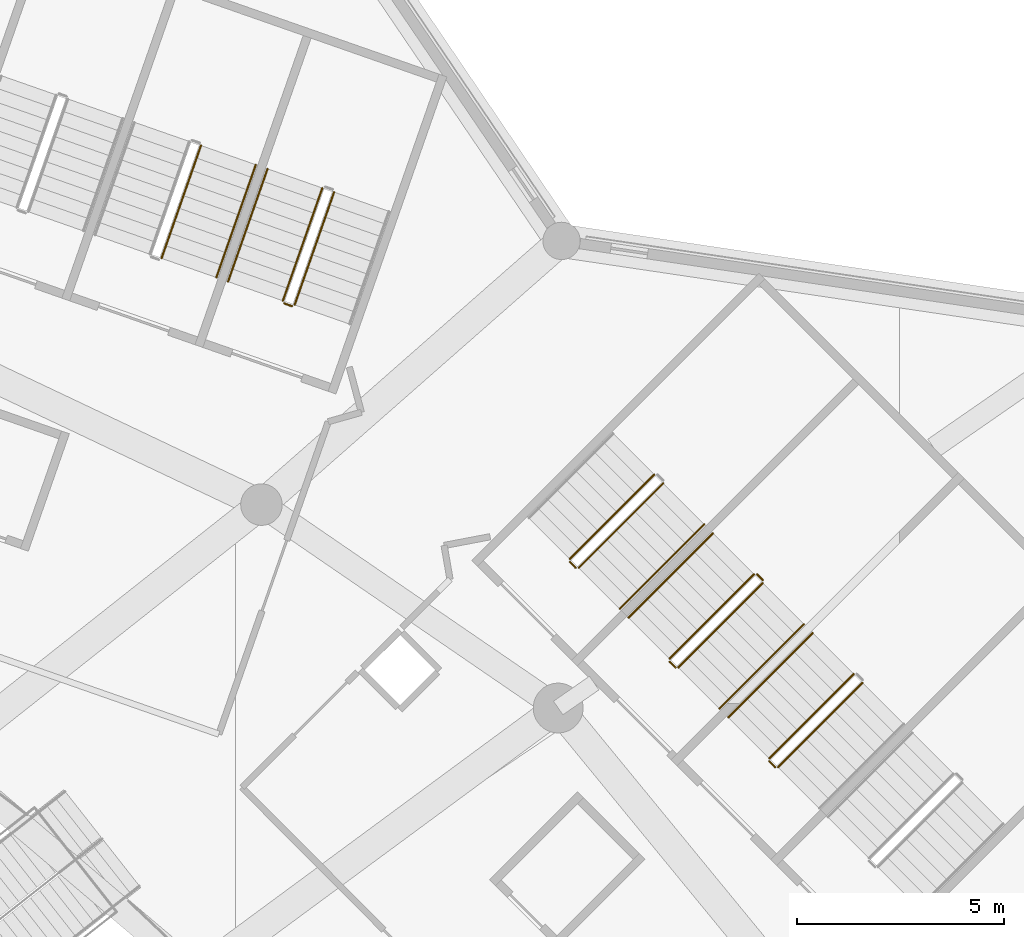
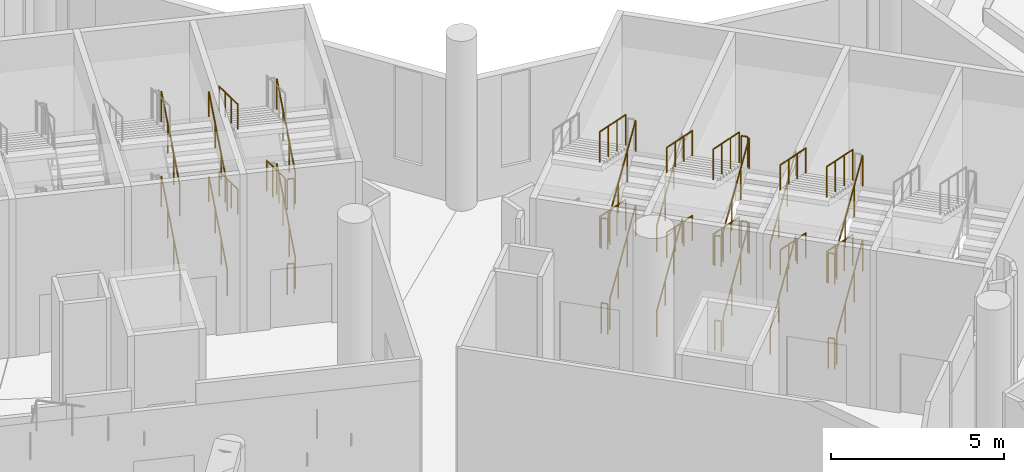
# One storey, part 169 of 173: 39 railings.
"""IFC4 building model written with IfcOpenShell, lengths in metres."""

from ifc_helpers import new_model, si_unit, direction, frame, origin, origin_2d, place, context, subcontext, project, spatial, circle, extrude, material, type_object, element, save


model = new_model("IFC4")

# Units and contexts
model_context = context("Model", 3, precision=1e-05, world=origin(), true_north=direction((0.0, 1.0)))
body_context = subcontext(model_context, "Body", "Model", "MODEL_VIEW")
ifc_project = project(units=[si_unit("LENGTHUNIT", "METRE"), si_unit("AREAUNIT", "SQUARE_METRE"), si_unit("VOLUMEUNIT", "CUBIC_METRE"), si_unit("PLANEANGLEUNIT", "RADIAN"), si_unit("MASSUNIT", "GRAM", prefix="KILO")], contexts=[model_context])

# Site, building, storey
site_placement = place(None, origin())
site = spatial("IfcSite", under=ifc_project, at=site_placement, CompositionType="ELEMENT")
building_placement = place(site_placement, origin())
building = spatial("IfcBuilding", under=site, at=building_placement, Name="Meseta Stadium", CompositionType="ELEMENT")
storey_placement = place(building_placement, frame((0.0, 0.0, 18.0)))
storey = spatial("IfcBuildingStorey", under=building, at=storey_placement, Name="L03", CompositionType="ELEMENT", Elevation=18.0)

# Railings
ifc_material_1 = material(Name="Steel S355", Category="steel")
railing_type_1 = type_object("IfcRailingType", Name="Stair guard 1100", PredefinedType="GUARDRAIL", material=ifc_material_1)
railing_1_placement = place(storey_placement, frame((77.077392578125, 78.4609375, 0.14990234375)))
element("IfcRailing", 1, at=railing_1_placement, inside=storey, type_object=railing_type_1, Name="ST26 L03 guard 1", PredefinedType="GUARDRAIL", context=body_context, shape_type="SweptSolid", body=[
    extrude(circle(Radius=0.02392578125, at=origin_2d()), frame((0.0, 0.0, 1.076171875), z_axis=(0.640211215754, 0.640287970486, 0.424453665402), x_axis=(-0.707149164786, 0.707064395047, 0.0)), (0.0, 0.0, 1.0), 3.180908203125),
    extrude(circle(Radius=0.02099609375, at=origin_2d()), origin(), (0.0, 0.0, 1.0), 1.052001953125),
    extrude(circle(Radius=0.02099609375, at=origin_2d()), frame((0.6787109375, 0.678955078125, 0.449951171875)), (0.0, 0.0, 1.0), 1.052001953125),
    extrude(circle(Radius=0.02099609375, at=origin_2d()), frame((1.357666015625, 1.357666015625, 0.900146484375)), (0.0, 0.0, 1.0), 1.052001953125),
    extrude(circle(Radius=0.02099609375, at=origin_2d()), frame((2.036376953125, 2.03662109375, 1.35009765625)), (0.0, 0.0, 1.0), 1.052001953125),
])
railing_2_placement = place(storey_placement, frame((78.901611328125, 80.709716796875, 1.64990234375)))
element("IfcRailing", 2, at=railing_2_placement, inside=storey, type_object=railing_type_1, Name="ST26 L03 guard 3", PredefinedType="GUARDRAIL", context=body_context, shape_type="SweptSolid", body=[
    extrude(circle(Radius=0.02392578125, at=origin_2d()), frame((0.0, 0.0, 1.076171875), z_axis=(-0.640211215754, -0.640287970486, 0.424453665402), x_axis=(0.707149164786, -0.707064395047, 0.0)), (0.0, 0.0, 1.0), 3.180908203125),
    extrude(circle(Radius=0.02099609375, at=origin_2d()), origin(), (0.0, 0.0, 1.0), 1.052001953125),
    extrude(circle(Radius=0.02099609375, at=origin_2d()), frame((-0.6787109375, -0.678955078125, 0.449951171875)), (0.0, 0.0, 1.0), 1.052001953125),
    extrude(circle(Radius=0.02099609375, at=origin_2d()), frame((-1.357666015625, -1.357666015625, 0.900146484375)), (0.0, 0.0, 1.0), 1.052001953125),
    extrude(circle(Radius=0.02099609375, at=origin_2d()), frame((-2.036376953125, -2.03662109375, 1.35009765625)), (0.0, 0.0, 1.0), 1.052001953125),
])
railing_3_placement = place(storey_placement, frame((77.006591796875, 78.4609375, 3.0)))
element("IfcRailing", 3, at=railing_3_placement, inside=storey, type_object=railing_type_1, Name="ST26 L03 guard 4", PredefinedType="GUARDRAIL", context=body_context, shape_type="SweptSolid", body=[
    extrude(circle(Radius=0.02392578125, at=origin_2d()), frame((0.0, 0.0, 1.076171875), z_axis=(-0.706496417452, 0.707716618519, 0.0), x_axis=(-0.707716618519, -0.706496417452, 0.0)), (0.0, 0.0, 1.0), 0.2001953125),
    extrude(circle(Radius=0.02099609375, at=origin_2d()), origin(), (0.0, 0.0, 1.0), 1.052001953125),
    extrude(circle(Radius=0.02099609375, at=origin_2d()), frame((-0.141357421875, 0.1416015625, 0.0)), (0.0, 0.0, 1.0), 1.052001953125),
])
railing_4_placement = place(storey_placement, frame((77.077392578125, 78.4609375, 3.14990234375)))
element("IfcRailing", 4, at=railing_4_placement, inside=storey, type_object=railing_type_1, Name="ST26 L03 guard 5", PredefinedType="GUARDRAIL", context=body_context, shape_type="SweptSolid", body=[
    extrude(circle(Radius=0.02392578125, at=origin_2d()), frame((0.0, 0.0, 1.076171875), z_axis=(0.640211215754, 0.640287970486, 0.424453665402), x_axis=(-0.707149164786, 0.707064395047, 0.0)), (0.0, 0.0, 1.0), 3.180908203125),
    extrude(circle(Radius=0.02099609375, at=origin_2d()), origin(), (0.0, 0.0, 1.0), 1.052001953125),
    extrude(circle(Radius=0.02099609375, at=origin_2d()), frame((0.6787109375, 0.678955078125, 0.449951171875)), (0.0, 0.0, 1.0), 1.052001953125),
    extrude(circle(Radius=0.02099609375, at=origin_2d()), frame((1.357666015625, 1.357666015625, 0.900146484375)), (0.0, 0.0, 1.0), 1.052001953125),
    extrude(circle(Radius=0.02099609375, at=origin_2d()), frame((2.036376953125, 2.03662109375, 1.35009765625)), (0.0, 0.0, 1.0), 1.052001953125),
])
railing_5_placement = place(storey_placement, frame((78.901611328125, 80.709716796875, 4.64990234375)))
element("IfcRailing", 5, at=railing_5_placement, inside=storey, type_object=railing_type_1, Name="ST26 L03 guard 7", PredefinedType="GUARDRAIL", context=body_context, shape_type="SweptSolid", body=[
    extrude(circle(Radius=0.02392578125, at=origin_2d()), frame((0.0, 0.0, 1.076171875), z_axis=(-0.640211215754, -0.640287970486, 0.424453665402), x_axis=(0.707149164786, -0.707064395047, 0.0)), (0.0, 0.0, 1.0), 3.180908203125),
    extrude(circle(Radius=0.02099609375, at=origin_2d()), origin(), (0.0, 0.0, 1.0), 1.052001953125),
    extrude(circle(Radius=0.02099609375, at=origin_2d()), frame((-0.6787109375, -0.678955078125, 0.449951171875)), (0.0, 0.0, 1.0), 1.052001953125),
    extrude(circle(Radius=0.02099609375, at=origin_2d()), frame((-1.357666015625, -1.357666015625, 0.900146484375)), (0.0, 0.0, 1.0), 1.052001953125),
    extrude(circle(Radius=0.02099609375, at=origin_2d()), frame((-2.036376953125, -2.03662109375, 1.35009765625)), (0.0, 0.0, 1.0), 1.052001953125),
])
railing_6_placement = place(storey_placement, frame((77.006591796875, 78.4609375, 0.0)))
element("IfcRailing", 6, at=railing_6_placement, inside=storey, type_object=railing_type_1, Name="ST26 L03 guard 8", PredefinedType="GUARDRAIL", context=body_context, shape_type="SweptSolid", body=[
    extrude(circle(Radius=0.02392578125, at=origin_2d()), frame((0.0, 0.0, 1.076171875), z_axis=(-0.706496417452, 0.707716618519, 0.0), x_axis=(-0.707716618519, -0.706496417452, 0.0)), (0.0, 0.0, 1.0), 0.2001953125),
    extrude(circle(Radius=0.02099609375, at=origin_2d()), origin(), (0.0, 0.0, 1.0), 1.052001953125),
    extrude(circle(Radius=0.02099609375, at=origin_2d()), frame((-0.141357421875, 0.1416015625, 0.0)), (0.0, 0.0, 1.0), 1.052001953125),
])
railing_7_placement = place(storey_placement, frame((74.673095703125, 80.865234375, 0.14990234375)))
element("IfcRailing", 7, at=railing_7_placement, inside=storey, type_object=railing_type_1, Name="ST27 L03 guard 1", PredefinedType="GUARDRAIL", context=body_context, shape_type="SweptSolid", body=[
    extrude(circle(Radius=0.02392578125, at=origin_2d()), frame((0.0, 0.0, 1.076171875), z_axis=(0.640287970486, 0.640211215754, 0.424453665402), x_axis=(-0.707064395047, 0.707149164786, 0.0)), (0.0, 0.0, 1.0), 3.180908203125),
    extrude(circle(Radius=0.02099609375, at=origin_2d()), origin(), (0.0, 0.0, 1.0), 1.052001953125),
    extrude(circle(Radius=0.02099609375, at=origin_2d()), frame((0.678955078125, 0.6787109375, 0.449951171875)), (0.0, 0.0, 1.0), 1.052001953125),
    extrude(circle(Radius=0.02099609375, at=origin_2d()), frame((1.357666015625, 1.357666015625, 0.900146484375)), (0.0, 0.0, 1.0), 1.052001953125),
    extrude(circle(Radius=0.02099609375, at=origin_2d()), frame((2.03662109375, 2.036376953125, 1.35009765625)), (0.0, 0.0, 1.0), 1.052001953125),
])
railing_8_placement = place(storey_placement, frame((76.709716796875, 82.972412109375, 1.5)))
element("IfcRailing", 8, at=railing_8_placement, inside=storey, type_object=railing_type_1, Name="ST27 L03 guard 2", PredefinedType="GUARDRAIL", context=body_context, shape_type="SweptSolid", body=[
    extrude(circle(Radius=0.02392578125, at=origin_2d()), frame((0.0, 0.0, 1.076171875), z_axis=(-0.707716618519, 0.706496417452, 0.0), x_axis=(-0.706496417452, -0.707716618519, 0.0)), (0.0, 0.0, 1.0), 0.2001953125),
    extrude(circle(Radius=0.02099609375, at=origin_2d()), origin(), (0.0, 0.0, 1.0), 1.052001953125),
    extrude(circle(Radius=0.02099609375, at=origin_2d()), frame((-0.1416015625, 0.141357421875, 0.0)), (0.0, 0.0, 1.0), 1.052001953125),
])
railing_9_placement = place(storey_placement, frame((76.49755859375, 83.11376953125, 1.64990234375)))
element("IfcRailing", 9, at=railing_9_placement, inside=storey, type_object=railing_type_1, Name="ST27 L03 guard 3", PredefinedType="GUARDRAIL", context=body_context, shape_type="SweptSolid", body=[
    extrude(circle(Radius=0.02392578125, at=origin_2d()), frame((0.0, 0.0, 1.076171875), z_axis=(-0.640287970486, -0.640211215754, 0.424453665402), x_axis=(0.707064395047, -0.707149164786, 0.0)), (0.0, 0.0, 1.0), 3.180908203125),
    extrude(circle(Radius=0.02099609375, at=origin_2d()), origin(), (0.0, 0.0, 1.0), 1.052001953125),
    extrude(circle(Radius=0.02099609375, at=origin_2d()), frame((-0.678955078125, -0.6787109375, 0.449951171875)), (0.0, 0.0, 1.0), 1.052001953125),
    extrude(circle(Radius=0.02099609375, at=origin_2d()), frame((-1.357666015625, -1.357666015625, 0.900146484375)), (0.0, 0.0, 1.0), 1.052001953125),
    extrude(circle(Radius=0.02099609375, at=origin_2d()), frame((-2.03662109375, -2.036376953125, 1.35009765625)), (0.0, 0.0, 1.0), 1.052001953125),
])
railing_10_placement = place(storey_placement, frame((74.6025390625, 80.865234375, 3.0)))
element("IfcRailing", 10, at=railing_10_placement, inside=storey, type_object=railing_type_1, Name="ST27 L03 guard 4", PredefinedType="GUARDRAIL", context=body_context, shape_type="SweptSolid", body=[
    extrude(circle(Radius=0.02392578125, at=origin_2d()), frame((0.0, 0.0, 1.076171875), z_axis=(-0.707716618519, 0.706496417452, 0.0), x_axis=(-0.706496417452, -0.707716618519, 0.0)), (0.0, 0.0, 1.0), 0.2001953125),
    extrude(circle(Radius=0.02099609375, at=origin_2d()), origin(), (0.0, 0.0, 1.0), 1.052001953125),
    extrude(circle(Radius=0.02099609375, at=origin_2d()), frame((-0.1416015625, 0.141357421875, 0.0)), (0.0, 0.0, 1.0), 1.052001953125),
])
railing_11_placement = place(storey_placement, frame((74.673095703125, 80.865234375, 3.14990234375)))
element("IfcRailing", 11, at=railing_11_placement, inside=storey, type_object=railing_type_1, Name="ST27 L03 guard 5", PredefinedType="GUARDRAIL", context=body_context, shape_type="SweptSolid", body=[
    extrude(circle(Radius=0.02392578125, at=origin_2d()), frame((0.0, 0.0, 1.076171875), z_axis=(0.640287970486, 0.640211215754, 0.424453665402), x_axis=(-0.707064395047, 0.707149164786, 0.0)), (0.0, 0.0, 1.0), 3.180908203125),
    extrude(circle(Radius=0.02099609375, at=origin_2d()), origin(), (0.0, 0.0, 1.0), 1.052001953125),
    extrude(circle(Radius=0.02099609375, at=origin_2d()), frame((0.678955078125, 0.6787109375, 0.449951171875)), (0.0, 0.0, 1.0), 1.052001953125),
    extrude(circle(Radius=0.02099609375, at=origin_2d()), frame((1.357666015625, 1.357666015625, 0.900146484375)), (0.0, 0.0, 1.0), 1.052001953125),
    extrude(circle(Radius=0.02099609375, at=origin_2d()), frame((2.03662109375, 2.036376953125, 1.35009765625)), (0.0, 0.0, 1.0), 1.052001953125),
])
railing_12_placement = place(storey_placement, frame((76.709716796875, 82.972412109375, 4.5)))
element("IfcRailing", 12, at=railing_12_placement, inside=storey, type_object=railing_type_1, Name="ST27 L03 guard 6", PredefinedType="GUARDRAIL", context=body_context, shape_type="SweptSolid", body=[
    extrude(circle(Radius=0.02392578125, at=origin_2d()), frame((0.0, 0.0, 1.076171875), z_axis=(-0.707716618519, 0.706496417452, 0.0), x_axis=(-0.706496417452, -0.707716618519, 0.0)), (0.0, 0.0, 1.0), 0.2001953125),
    extrude(circle(Radius=0.02099609375, at=origin_2d()), origin(), (0.0, 0.0, 1.0), 1.052001953125),
    extrude(circle(Radius=0.02099609375, at=origin_2d()), frame((-0.1416015625, 0.141357421875, 0.0)), (0.0, 0.0, 1.0), 1.052001953125),
])
railing_13_placement = place(storey_placement, frame((76.49755859375, 83.11376953125, 4.64990234375)))
element("IfcRailing", 13, at=railing_13_placement, inside=storey, type_object=railing_type_1, Name="ST27 L03 guard 7", PredefinedType="GUARDRAIL", context=body_context, shape_type="SweptSolid", body=[
    extrude(circle(Radius=0.02392578125, at=origin_2d()), frame((0.0, 0.0, 1.076171875), z_axis=(-0.640287970486, -0.640211215754, 0.424453665402), x_axis=(0.707064395047, -0.707149164786, 0.0)), (0.0, 0.0, 1.0), 3.180908203125),
    extrude(circle(Radius=0.02099609375, at=origin_2d()), origin(), (0.0, 0.0, 1.0), 1.052001953125),
    extrude(circle(Radius=0.02099609375, at=origin_2d()), frame((-0.678955078125, -0.6787109375, 0.449951171875)), (0.0, 0.0, 1.0), 1.052001953125),
    extrude(circle(Radius=0.02099609375, at=origin_2d()), frame((-1.357666015625, -1.357666015625, 0.900146484375)), (0.0, 0.0, 1.0), 1.052001953125),
    extrude(circle(Radius=0.02099609375, at=origin_2d()), frame((-2.03662109375, -2.036376953125, 1.35009765625)), (0.0, 0.0, 1.0), 1.052001953125),
])
railing_14_placement = place(storey_placement, frame((74.6025390625, 80.865234375, 0.0)))
element("IfcRailing", 14, at=railing_14_placement, inside=storey, type_object=railing_type_1, Name="ST27 L03 guard 8", PredefinedType="GUARDRAIL", context=body_context, shape_type="SweptSolid", body=[
    extrude(circle(Radius=0.02392578125, at=origin_2d()), frame((0.0, 0.0, 1.076171875), z_axis=(-0.707716618519, 0.706496417452, 0.0), x_axis=(-0.706496417452, -0.707716618519, 0.0)), (0.0, 0.0, 1.0), 0.2001953125),
    extrude(circle(Radius=0.02099609375, at=origin_2d()), origin(), (0.0, 0.0, 1.0), 1.052001953125),
    extrude(circle(Radius=0.02099609375, at=origin_2d()), frame((-0.1416015625, 0.141357421875, 0.0)), (0.0, 0.0, 1.0), 1.052001953125),
])
railing_15_placement = place(storey_placement, frame((72.26904296875, 83.269287109375, 0.14990234375)))
element("IfcRailing", 15, at=railing_15_placement, inside=storey, type_object=railing_type_1, Name="ST28 L03 guard 1", PredefinedType="GUARDRAIL", context=body_context, shape_type="SweptSolid", body=[
    extrude(circle(Radius=0.02392578125, at=origin_2d()), frame((0.0, 0.0, 1.076171875), z_axis=(0.640211215754, 0.640287970486, 0.424453665402), x_axis=(-0.707149164786, 0.707064395047, 0.0)), (0.0, 0.0, 1.0), 3.180908203125),
    extrude(circle(Radius=0.02099609375, at=origin_2d()), origin(), (0.0, 0.0, 1.0), 1.052001953125),
    extrude(circle(Radius=0.02099609375, at=origin_2d()), frame((0.6787109375, 0.678955078125, 0.449951171875)), (0.0, 0.0, 1.0), 1.052001953125),
    extrude(circle(Radius=0.02099609375, at=origin_2d()), frame((1.357666015625, 1.357666015625, 0.900146484375)), (0.0, 0.0, 1.0), 1.052001953125),
    extrude(circle(Radius=0.02099609375, at=origin_2d()), frame((2.036376953125, 2.03662109375, 1.35009765625)), (0.0, 0.0, 1.0), 1.052001953125),
])
railing_16_placement = place(storey_placement, frame((74.09326171875, 85.51806640625, 1.64990234375)))
element("IfcRailing", 16, at=railing_16_placement, inside=storey, type_object=railing_type_1, Name="ST28 L03 guard 3", PredefinedType="GUARDRAIL", context=body_context, shape_type="SweptSolid", body=[
    extrude(circle(Radius=0.02392578125, at=origin_2d()), frame((0.0, 0.0, 1.076171875), z_axis=(-0.640211215754, -0.640287970486, 0.424453665402), x_axis=(0.707149164786, -0.707064395047, 0.0)), (0.0, 0.0, 1.0), 3.180908203125),
    extrude(circle(Radius=0.02099609375, at=origin_2d()), origin(), (0.0, 0.0, 1.0), 1.052001953125),
    extrude(circle(Radius=0.02099609375, at=origin_2d()), frame((-0.6787109375, -0.678955078125, 0.449951171875)), (0.0, 0.0, 1.0), 1.052001953125),
    extrude(circle(Radius=0.02099609375, at=origin_2d()), frame((-1.357666015625, -1.357666015625, 0.900146484375)), (0.0, 0.0, 1.0), 1.052001953125),
    extrude(circle(Radius=0.02099609375, at=origin_2d()), frame((-2.036376953125, -2.03662109375, 1.35009765625)), (0.0, 0.0, 1.0), 1.052001953125),
])
railing_17_placement = place(storey_placement, frame((72.1982421875, 83.269287109375, 3.0)))
element("IfcRailing", 17, at=railing_17_placement, inside=storey, type_object=railing_type_1, Name="ST28 L03 guard 4", PredefinedType="GUARDRAIL", context=body_context, shape_type="SweptSolid", body=[
    extrude(circle(Radius=0.02392578125, at=origin_2d()), frame((0.0, 0.0, 1.076171875), z_axis=(-0.706496417452, 0.707716618519, 0.0), x_axis=(-0.707716618519, -0.706496417452, 0.0)), (0.0, 0.0, 1.0), 0.2001953125),
    extrude(circle(Radius=0.02099609375, at=origin_2d()), origin(), (0.0, 0.0, 1.0), 1.052001953125),
    extrude(circle(Radius=0.02099609375, at=origin_2d()), frame((-0.141357421875, 0.1416015625, 0.0)), (0.0, 0.0, 1.0), 1.052001953125),
])
railing_18_placement = place(storey_placement, frame((72.26904296875, 83.269287109375, 3.14990234375)))
element("IfcRailing", 18, at=railing_18_placement, inside=storey, type_object=railing_type_1, Name="ST28 L03 guard 5", PredefinedType="GUARDRAIL", context=body_context, shape_type="SweptSolid", body=[
    extrude(circle(Radius=0.02392578125, at=origin_2d()), frame((0.0, 0.0, 1.076171875), z_axis=(0.640211215754, 0.640287970486, 0.424453665402), x_axis=(-0.707149164786, 0.707064395047, 0.0)), (0.0, 0.0, 1.0), 3.180908203125),
    extrude(circle(Radius=0.02099609375, at=origin_2d()), origin(), (0.0, 0.0, 1.0), 1.052001953125),
    extrude(circle(Radius=0.02099609375, at=origin_2d()), frame((0.6787109375, 0.678955078125, 0.449951171875)), (0.0, 0.0, 1.0), 1.052001953125),
    extrude(circle(Radius=0.02099609375, at=origin_2d()), frame((1.357666015625, 1.357666015625, 0.900146484375)), (0.0, 0.0, 1.0), 1.052001953125),
    extrude(circle(Radius=0.02099609375, at=origin_2d()), frame((2.036376953125, 2.03662109375, 1.35009765625)), (0.0, 0.0, 1.0), 1.052001953125),
])
railing_19_placement = place(storey_placement, frame((74.09326171875, 85.51806640625, 4.64990234375)))
element("IfcRailing", 19, at=railing_19_placement, inside=storey, type_object=railing_type_1, Name="ST28 L03 guard 7", PredefinedType="GUARDRAIL", context=body_context, shape_type="SweptSolid", body=[
    extrude(circle(Radius=0.02392578125, at=origin_2d()), frame((0.0, 0.0, 1.076171875), z_axis=(-0.640211215754, -0.640287970486, 0.424453665402), x_axis=(0.707149164786, -0.707064395047, 0.0)), (0.0, 0.0, 1.0), 3.180908203125),
    extrude(circle(Radius=0.02099609375, at=origin_2d()), origin(), (0.0, 0.0, 1.0), 1.052001953125),
    extrude(circle(Radius=0.02099609375, at=origin_2d()), frame((-0.6787109375, -0.678955078125, 0.449951171875)), (0.0, 0.0, 1.0), 1.052001953125),
    extrude(circle(Radius=0.02099609375, at=origin_2d()), frame((-1.357666015625, -1.357666015625, 0.900146484375)), (0.0, 0.0, 1.0), 1.052001953125),
    extrude(circle(Radius=0.02099609375, at=origin_2d()), frame((-2.036376953125, -2.03662109375, 1.35009765625)), (0.0, 0.0, 1.0), 1.052001953125),
])
railing_20_placement = place(storey_placement, frame((72.1982421875, 83.269287109375, 0.0)))
element("IfcRailing", 20, at=railing_20_placement, inside=storey, type_object=railing_type_1, Name="ST28 L03 guard 8", PredefinedType="GUARDRAIL", context=body_context, shape_type="SweptSolid", body=[
    extrude(circle(Radius=0.02392578125, at=origin_2d()), frame((0.0, 0.0, 1.076171875), z_axis=(-0.706496417452, 0.707716618519, 0.0), x_axis=(-0.707716618519, -0.706496417452, 0.0)), (0.0, 0.0, 1.0), 0.2001953125),
    extrude(circle(Radius=0.02099609375, at=origin_2d()), origin(), (0.0, 0.0, 1.0), 1.052001953125),
    extrude(circle(Radius=0.02099609375, at=origin_2d()), frame((-0.141357421875, 0.1416015625, 0.0)), (0.0, 0.0, 1.0), 1.052001953125),
])
railing_21_placement = place(storey_placement, frame((65.421630859375, 89.608154296875, 0.14990234375)))
element("IfcRailing", 21, at=railing_21_placement, inside=storey, type_object=railing_type_1, Name="ST29 L03 guard 1", PredefinedType="GUARDRAIL", context=body_context, shape_type="SweptSolid", body=[
    extrude(circle(Radius=0.02392578125, at=origin_2d()), frame((0.0, 0.0, 1.076171875), z_axis=(0.299050945451, 0.854628651604, 0.424474262922), x_axis=(-0.943882143717, 0.33028245302, 0.0)), (0.0, 0.0, 1.0), 3.1806640625),
    extrude(circle(Radius=0.02099609375, at=origin_2d()), origin(), (0.0, 0.0, 1.0), 1.052001953125),
    extrude(circle(Radius=0.02099609375, at=origin_2d()), frame((0.317138671875, 0.906005859375, 0.449951171875)), (0.0, 0.0, 1.0), 1.052001953125),
    extrude(circle(Radius=0.02099609375, at=origin_2d()), frame((0.634033203125, 1.812255859375, 0.900146484375)), (0.0, 0.0, 1.0), 1.052001953125),
    extrude(circle(Radius=0.02099609375, at=origin_2d()), frame((0.951171875, 2.71826171875, 1.35009765625)), (0.0, 0.0, 1.0), 1.052001953125),
])
railing_22_placement = place(storey_placement, frame((66.089599609375, 92.425537109375, 1.64990234375)))
element("IfcRailing", 22, at=railing_22_placement, inside=storey, type_object=railing_type_1, Name="ST29 L03 guard 3", PredefinedType="GUARDRAIL", context=body_context, shape_type="SweptSolid", body=[
    extrude(circle(Radius=0.02392578125, at=origin_2d()), frame((0.0, 0.0, 1.076171875), z_axis=(-0.299050945451, -0.854628651604, 0.424474262922), x_axis=(0.943882143717, -0.33028245302, 0.0)), (0.0, 0.0, 1.0), 3.1806640625),
    extrude(circle(Radius=0.02099609375, at=origin_2d()), origin(), (0.0, 0.0, 1.0), 1.052001953125),
    extrude(circle(Radius=0.02099609375, at=origin_2d()), frame((-0.317138671875, -0.906005859375, 0.449951171875)), (0.0, 0.0, 1.0), 1.052001953125),
    extrude(circle(Radius=0.02099609375, at=origin_2d()), frame((-0.634033203125, -1.812255859375, 0.900146484375)), (0.0, 0.0, 1.0), 1.052001953125),
    extrude(circle(Radius=0.02099609375, at=origin_2d()), frame((-0.951171875, -2.71826171875, 1.35009765625)), (0.0, 0.0, 1.0), 1.052001953125),
])
railing_23_placement = place(storey_placement, frame((65.35791015625, 89.577392578125, 3.0)))
element("IfcRailing", 23, at=railing_23_placement, inside=storey, type_object=railing_type_1, Name="ST29 L03 guard 4", PredefinedType="GUARDRAIL", context=body_context, shape_type="SweptSolid", body=[
    extrude(circle(Radius=0.02392578125, at=origin_2d()), frame((0.0, 0.0, 1.076171875), z_axis=(-0.943686935281, 0.330839792317, 0.0), x_axis=(-0.330839792317, -0.943686935281, 0.0)), (0.0, 0.0, 1.0), 0.199951171875),
    extrude(circle(Radius=0.02099609375, at=origin_2d()), origin(), (0.0, 0.0, 1.0), 1.052001953125),
    extrude(circle(Radius=0.02099609375, at=origin_2d()), frame((-0.188720703125, 0.066162109375, 0.0)), (0.0, 0.0, 1.0), 1.052001953125),
])
railing_24_placement = place(storey_placement, frame((65.421630859375, 89.608154296875, 3.14990234375)))
element("IfcRailing", 24, at=railing_24_placement, inside=storey, type_object=railing_type_1, Name="ST29 L03 guard 5", PredefinedType="GUARDRAIL", context=body_context, shape_type="SweptSolid", body=[
    extrude(circle(Radius=0.02392578125, at=origin_2d()), frame((0.0, 0.0, 1.076171875), z_axis=(0.299050945451, 0.854628651604, 0.424474262922), x_axis=(-0.943882143717, 0.33028245302, 0.0)), (0.0, 0.0, 1.0), 3.1806640625),
    extrude(circle(Radius=0.02099609375, at=origin_2d()), origin(), (0.0, 0.0, 1.0), 1.052001953125),
    extrude(circle(Radius=0.02099609375, at=origin_2d()), frame((0.317138671875, 0.906005859375, 0.449951171875)), (0.0, 0.0, 1.0), 1.052001953125),
    extrude(circle(Radius=0.02099609375, at=origin_2d()), frame((0.634033203125, 1.812255859375, 0.900146484375)), (0.0, 0.0, 1.0), 1.052001953125),
    extrude(circle(Radius=0.02099609375, at=origin_2d()), frame((0.951171875, 2.71826171875, 1.35009765625)), (0.0, 0.0, 1.0), 1.052001953125),
])
railing_25_placement = place(storey_placement, frame((65.35791015625, 89.577392578125, 0.0)))
element("IfcRailing", 25, at=railing_25_placement, inside=storey, type_object=railing_type_1, Name="ST29 L03 guard 8", PredefinedType="GUARDRAIL", context=body_context, shape_type="SweptSolid", body=[
    extrude(circle(Radius=0.02392578125, at=origin_2d()), frame((0.0, 0.0, 1.076171875), z_axis=(-0.943686935281, 0.330839792317, 0.0), x_axis=(-0.330839792317, -0.943686935281, 0.0)), (0.0, 0.0, 1.0), 0.199951171875),
    extrude(circle(Radius=0.02099609375, at=origin_2d()), origin(), (0.0, 0.0, 1.0), 1.052001953125),
    extrude(circle(Radius=0.02099609375, at=origin_2d()), frame((-0.188720703125, 0.066162109375, 0.0)), (0.0, 0.0, 1.0), 1.052001953125),
])
for number, where, name in (
    (26, (62.21240234375, 90.73095703125, 0.14990234375), "ST30 L03 guard 1"),
    (27, (62.21240234375, 90.73095703125, 3.14990234375), "ST30 L03 guard 5"),
):
    element("IfcRailing", number, at=place(storey_placement, frame(where)), inside=storey, type_object=railing_type_1, Name=name, PredefinedType="GUARDRAIL", context=body_context, shape_type="SweptSolid", body=[
        extrude(circle(Radius=0.02392578125, at=origin_2d()), frame((0.0, 0.0, 1.076171875), z_axis=(0.299031328765, 0.854649344405, 0.42444641891), x_axis=(-0.943891390388, 0.330256026668, 0.0)), (0.0, 0.0, 1.0), 3.180908203125),
        extrude(circle(Radius=0.02099609375, at=origin_2d()), origin(), (0.0, 0.0, 1.0), 1.052001953125),
        extrude(circle(Radius=0.02099609375, at=origin_2d()), frame((0.317138671875, 0.90625, 0.449951171875)), (0.0, 0.0, 1.0), 1.052001953125),
        extrude(circle(Radius=0.02099609375, at=origin_2d()), frame((0.634033203125, 1.812255859375, 0.900146484375)), (0.0, 0.0, 1.0), 1.052001953125),
        extrude(circle(Radius=0.02099609375, at=origin_2d()), frame((0.951171875, 2.718505859375, 1.35009765625)), (0.0, 0.0, 1.0), 1.052001953125),
    ])
ifc_material_2 = material(Name="Steel S355", Category="steel")
railing_type_2 = type_object("IfcRailingType", Name="Stair handrail 900", PredefinedType="HANDRAIL", material=ifc_material_2)
for number, where, name in (
    (28, (77.91162109375, 81.69970703125, 1.64990234375), "ST26 L03 handrail 2"),
    (29, (77.91162109375, 81.69970703125, 4.64990234375), "ST26 L03 handrail 4"),
):
    element("IfcRailing", number, at=place(storey_placement, frame(where)), inside=storey, type_object=railing_type_2, Name=name, PredefinedType="HANDRAIL", context=body_context, shape_type="SweptSolid", body=[
        extrude(circle(Radius=0.02392578125, at=origin_2d()), frame((0.0, 0.0, 0.8759765625), z_axis=(-0.640211215754, -0.640287970486, 0.424453665402), x_axis=(0.707149164786, -0.707064395047, 0.0)), (0.0, 0.0, 1.0), 3.180908203125),
        extrude(circle(Radius=0.02099609375, at=origin_2d()), origin(), (0.0, 0.0, 1.0), 0.851806640625),
        extrude(circle(Radius=0.02099609375, at=origin_2d()), frame((-0.6787109375, -0.678955078125, 0.449951171875)), (0.0, 0.0, 1.0), 0.851806640625),
        extrude(circle(Radius=0.02099609375, at=origin_2d()), frame((-1.357666015625, -1.357666015625, 0.900146484375)), (0.0, 0.0, 1.0), 0.851806640625),
        extrude(circle(Radius=0.02099609375, at=origin_2d()), frame((-2.036376953125, -2.03662109375, 1.35009765625)), (0.0, 0.0, 1.0), 0.851806640625),
    ])
railing_26_placement = place(storey_placement, frame((75.6630859375, 79.875244140625, 0.14990234375)))
element("IfcRailing", 30, at=railing_26_placement, inside=storey, type_object=railing_type_2, Name="ST27 L03 handrail 1", PredefinedType="HANDRAIL", context=body_context, shape_type="SweptSolid", body=[
    extrude(circle(Radius=0.02392578125, at=origin_2d()), frame((0.0, 0.0, 0.8759765625), z_axis=(0.640287970486, 0.640211215754, 0.424453665402), x_axis=(-0.707064395047, 0.707149164786, 0.0)), (0.0, 0.0, 1.0), 3.180908203125),
    extrude(circle(Radius=0.02099609375, at=origin_2d()), origin(), (0.0, 0.0, 1.0), 0.851806640625),
    extrude(circle(Radius=0.02099609375, at=origin_2d()), frame((0.678955078125, 0.6787109375, 0.449951171875)), (0.0, 0.0, 1.0), 0.851806640625),
    extrude(circle(Radius=0.02099609375, at=origin_2d()), frame((1.357666015625, 1.357666015625, 0.900146484375)), (0.0, 0.0, 1.0), 0.851806640625),
    extrude(circle(Radius=0.02099609375, at=origin_2d()), frame((2.03662109375, 2.036376953125, 1.35009765625)), (0.0, 0.0, 1.0), 0.851806640625),
])
railing_27_placement = place(storey_placement, frame((75.507568359375, 84.103759765625, 1.64990234375)))
element("IfcRailing", 31, at=railing_27_placement, inside=storey, type_object=railing_type_2, Name="ST27 L03 handrail 2", PredefinedType="HANDRAIL", context=body_context, shape_type="SweptSolid", body=[
    extrude(circle(Radius=0.02392578125, at=origin_2d()), frame((0.0, 0.0, 0.8759765625), z_axis=(-0.640242679452, -0.640242679452, 0.424474525521), x_axis=(0.707106781187, -0.707106781187, 0.0)), (0.0, 0.0, 1.0), 3.1806640625),
    extrude(circle(Radius=0.02099609375, at=origin_2d()), origin(), (0.0, 0.0, 1.0), 0.851806640625),
    extrude(circle(Radius=0.02099609375, at=origin_2d()), frame((-0.6787109375, -0.6787109375, 0.449951171875)), (0.0, 0.0, 1.0), 0.851806640625),
    extrude(circle(Radius=0.02099609375, at=origin_2d()), frame((-1.357666015625, -1.357666015625, 0.900146484375)), (0.0, 0.0, 1.0), 0.851806640625),
    extrude(circle(Radius=0.02099609375, at=origin_2d()), frame((-2.036376953125, -2.036376953125, 1.35009765625)), (0.0, 0.0, 1.0), 0.851806640625),
])
railing_28_placement = place(storey_placement, frame((75.6630859375, 79.875244140625, 3.14990234375)))
element("IfcRailing", 32, at=railing_28_placement, inside=storey, type_object=railing_type_2, Name="ST27 L03 handrail 3", PredefinedType="HANDRAIL", context=body_context, shape_type="SweptSolid", body=[
    extrude(circle(Radius=0.02392578125, at=origin_2d()), frame((0.0, 0.0, 0.8759765625), z_axis=(0.640287970486, 0.640211215754, 0.424453665402), x_axis=(-0.707064395047, 0.707149164786, 0.0)), (0.0, 0.0, 1.0), 3.180908203125),
    extrude(circle(Radius=0.02099609375, at=origin_2d()), origin(), (0.0, 0.0, 1.0), 0.851806640625),
    extrude(circle(Radius=0.02099609375, at=origin_2d()), frame((0.678955078125, 0.6787109375, 0.449951171875)), (0.0, 0.0, 1.0), 0.851806640625),
    extrude(circle(Radius=0.02099609375, at=origin_2d()), frame((1.357666015625, 1.357666015625, 0.900146484375)), (0.0, 0.0, 1.0), 0.851806640625),
    extrude(circle(Radius=0.02099609375, at=origin_2d()), frame((2.03662109375, 2.036376953125, 1.35009765625)), (0.0, 0.0, 1.0), 0.851806640625),
])
railing_29_placement = place(storey_placement, frame((75.507568359375, 84.103759765625, 4.64990234375)))
element("IfcRailing", 33, at=railing_29_placement, inside=storey, type_object=railing_type_2, Name="ST27 L03 handrail 4", PredefinedType="HANDRAIL", context=body_context, shape_type="SweptSolid", body=[
    extrude(circle(Radius=0.02392578125, at=origin_2d()), frame((0.0, 0.0, 0.8759765625), z_axis=(-0.640242679452, -0.640242679452, 0.424474525521), x_axis=(0.707106781187, -0.707106781187, 0.0)), (0.0, 0.0, 1.0), 3.1806640625),
    extrude(circle(Radius=0.02099609375, at=origin_2d()), origin(), (0.0, 0.0, 1.0), 0.851806640625),
    extrude(circle(Radius=0.02099609375, at=origin_2d()), frame((-0.6787109375, -0.6787109375, 0.449951171875)), (0.0, 0.0, 1.0), 0.851806640625),
    extrude(circle(Radius=0.02099609375, at=origin_2d()), frame((-1.357666015625, -1.357666015625, 0.900146484375)), (0.0, 0.0, 1.0), 0.851806640625),
    extrude(circle(Radius=0.02099609375, at=origin_2d()), frame((-2.036376953125, -2.036376953125, 1.35009765625)), (0.0, 0.0, 1.0), 0.851806640625),
])
for number, where, name in (
    (34, (73.259033203125, 82.279541015625, 0.14990234375), "ST28 L03 handrail 1"),
    (35, (73.259033203125, 82.279541015625, 3.14990234375), "ST28 L03 handrail 3"),
):
    element("IfcRailing", number, at=place(storey_placement, frame(where)), inside=storey, type_object=railing_type_2, Name=name, PredefinedType="HANDRAIL", context=body_context, shape_type="SweptSolid", body=[
        extrude(circle(Radius=0.02392578125, at=origin_2d()), frame((0.0, 0.0, 0.8759765625), z_axis=(0.640242679452, 0.640242679452, 0.424474525521), x_axis=(-0.707106781187, 0.707106781187, 0.0)), (0.0, 0.0, 1.0), 3.1806640625),
        extrude(circle(Radius=0.02099609375, at=origin_2d()), origin(), (0.0, 0.0, 1.0), 0.851806640625),
        extrude(circle(Radius=0.02099609375, at=origin_2d()), frame((0.6787109375, 0.6787109375, 0.449951171875)), (0.0, 0.0, 1.0), 0.851806640625),
        extrude(circle(Radius=0.02099609375, at=origin_2d()), frame((1.357666015625, 1.357666015625, 0.900146484375)), (0.0, 0.0, 1.0), 0.851806640625),
        extrude(circle(Radius=0.02099609375, at=origin_2d()), frame((2.036376953125, 2.036376953125, 1.35009765625)), (0.0, 0.0, 1.0), 0.851806640625),
    ])
for number, where, name in (
    (36, (64.768310546875, 92.887939453125, 1.64990234375), "ST29 L03 handrail 2"),
    (37, (64.768310546875, 92.887939453125, 4.64990234375), "ST29 L03 handrail 4"),
):
    element("IfcRailing", number, at=place(storey_placement, frame(where)), inside=storey, type_object=railing_type_2, Name=name, PredefinedType="HANDRAIL", context=body_context, shape_type="SweptSolid", body=[
        extrude(circle(Radius=0.02392578125, at=origin_2d()), frame((0.0, 0.0, 0.8759765625), z_axis=(-0.299120836879, -0.854609032027, 0.424464518332), x_axis=(0.943855713099, -0.330357976823, 0.0)), (0.0, 0.0, 1.0), 3.1806640625),
        extrude(circle(Radius=0.02099609375, at=origin_2d()), origin(), (0.0, 0.0, 1.0), 0.851806640625),
        extrude(circle(Radius=0.02099609375, at=origin_2d()), frame((-0.317138671875, -0.906005859375, 0.449951171875)), (0.0, 0.0, 1.0), 0.851806640625),
        extrude(circle(Radius=0.02099609375, at=origin_2d()), frame((-0.63427734375, -1.812255859375, 0.900146484375)), (0.0, 0.0, 1.0), 0.851806640625),
        extrude(circle(Radius=0.02099609375, at=origin_2d()), frame((-0.951416015625, -2.71826171875, 1.35009765625)), (0.0, 0.0, 1.0), 0.851806640625),
    ])
for number, where, name in (
    (38, (63.533935546875, 90.268798828125, 0.14990234375), "ST30 L03 handrail 1"),
    (39, (63.533935546875, 90.268798828125, 3.14990234375), "ST30 L03 handrail 3"),
):
    element("IfcRailing", number, at=place(storey_placement, frame(where)), inside=storey, type_object=railing_type_2, Name=name, PredefinedType="HANDRAIL", context=body_context, shape_type="SweptSolid", body=[
        extrude(circle(Radius=0.02392578125, at=origin_2d()), frame((0.0, 0.0, 0.8759765625), z_axis=(0.299050945451, 0.854628651604, 0.424474262922), x_axis=(-0.943882143717, 0.33028245302, 0.0)), (0.0, 0.0, 1.0), 3.1806640625),
        extrude(circle(Radius=0.02099609375, at=origin_2d()), origin(), (0.0, 0.0, 1.0), 0.851806640625),
        extrude(circle(Radius=0.02099609375, at=origin_2d()), frame((0.317138671875, 0.906005859375, 0.449951171875)), (0.0, 0.0, 1.0), 0.851806640625),
        extrude(circle(Radius=0.02099609375, at=origin_2d()), frame((0.634033203125, 1.812255859375, 0.900146484375)), (0.0, 0.0, 1.0), 0.851806640625),
        extrude(circle(Radius=0.02099609375, at=origin_2d()), frame((0.951171875, 2.71826171875, 1.35009765625)), (0.0, 0.0, 1.0), 0.851806640625),
    ])

save(model, "model.ifc")
